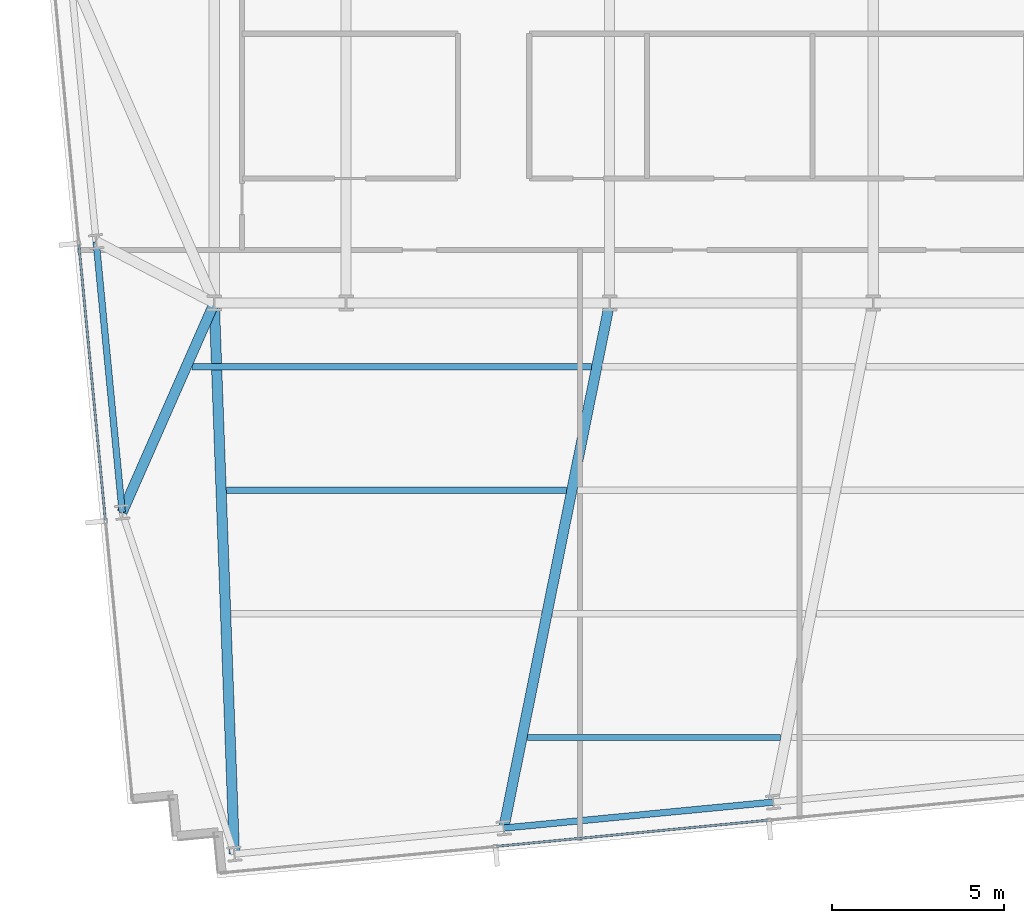
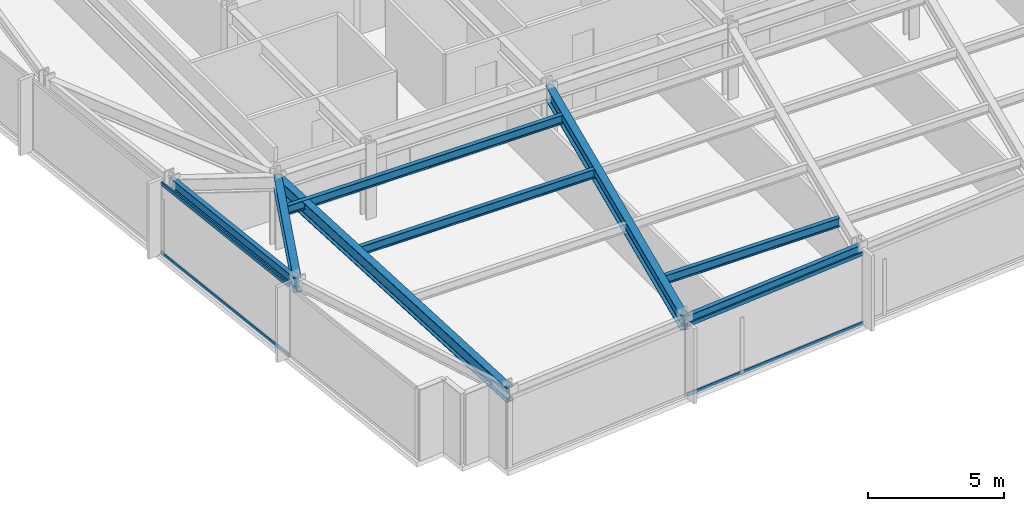
# One storey, part 3 of 33: 8 beams, 4 members, 2 elements without a shape of their own.
"""IFC4 building model written with IfcOpenShell, lengths in metres."""

import ifcopenshell
import ifcopenshell.guid

model = None  # the IFC model being written
_history = None  # IfcOwnerHistory: only IFC2X3 demands one
_inside = {}  # id of a spatial element -> (the spatial element, [elements in it])
_under = {}  # id of a project, library or spatial element -> (it, [spatial elements below it])
_declared = {}  # id of a project -> (the project, [libraries it declares])
_typed = {}  # id of a type object -> (the type object, [elements of that type])
_made_of = {}  # id of a material, layer set ... -> (it, [elements and type objects made of it])


def new_model(schema):
    """Start an empty IFC model of exactly this schema.

    Asked for "IFC4X3", IfcOpenShell would pick the latest addendum, in which some entities
    have other attributes; the version numbers below select the first issue.
    IFC2X3 requires an IfcOwnerHistory on every rooted entity: one is made here for all.
    """
    global model, _history
    if schema == "IFC4X3":
        model = ifcopenshell.file(schema_version=(4, 3, 0, 0))
    else:
        model = ifcopenshell.file(schema=schema)
    _inside.clear()
    _under.clear()
    _declared.clear()
    _typed.clear()
    _made_of.clear()
    _history = None
    if model.schema == "IFC2X3":
        org = make("IfcOrganization", Name="unknown")
        user = make(
            "IfcPersonAndOrganization",
            ThePerson=make("IfcPerson", FamilyName="unknown"),
            TheOrganization=org,
        )
        app = make(
            "IfcApplication",
            ApplicationDeveloper=org,
            Version="unknown",
            ApplicationFullName="unknown",
            ApplicationIdentifier="unknown",
        )
        _history = make(
            "IfcOwnerHistory",
            OwningUser=user,
            OwningApplication=app,
            ChangeAction="ADDED",
            CreationDate=0,
        )
    return model


def make(cls, **values):
    """One entity of the class cls with the attributes given. An attribute that is None is left unset."""
    return model.create_entity(
        cls, **{name: value for name, value in values.items() if value is not None}
    )


def rooted(cls, **values):
    """An entity with a GlobalId (a new one), such as an element, a storey or a relation."""
    return make(cls, GlobalId=ifcopenshell.guid.new(), OwnerHistory=_history, **values)


def si_unit(unit_type, name, prefix=None):
    """IfcSIUnit, for example si_unit("LENGTHUNIT", "METRE", prefix="MILLI")."""
    return make("IfcSIUnit", UnitType=unit_type, Prefix=prefix, Name=name)


def assignment(units):
    """IfcUnitAssignment: the units of a project."""
    return None if units is None else make("IfcUnitAssignment", Units=units)


def point(xyz):
    """IfcCartesianPoint."""
    return None if xyz is None else make("IfcCartesianPoint", Coordinates=xyz)


def direction(xyz):
    """IfcDirection."""
    return None if xyz is None else make("IfcDirection", DirectionRatios=xyz)


def frame(location, z_axis=None, x_axis=None):
    """IfcAxis2Placement3D, a coordinate frame: its origin and axes. An axis left out is left unset."""
    return make(
        "IfcAxis2Placement3D",
        Location=point(location),
        Axis=direction(z_axis),
        RefDirection=direction(x_axis),
    )


def frame_2d(location, x_axis=None):
    """IfcAxis2Placement2D, a coordinate frame in the plane: its origin and x axis."""
    return make(
        "IfcAxis2Placement2D", Location=point(location), RefDirection=direction(x_axis)
    )


def origin():
    """The frame at (0, 0, 0) with its axes left unset."""
    return frame((0.0, 0.0, 0.0))


def origin_2d():
    """The frame at (0, 0) in the plane with its x axis left unset."""
    return frame_2d((0.0, 0.0))


def place(relative_to, where):
    """IfcLocalPlacement: puts the frame where relative to a parent placement (None: the world)."""
    return make(
        "IfcLocalPlacement", PlacementRelTo=relative_to, RelativePlacement=where
    )


def context(
    kind, dimensions, precision=None, world=None, true_north=None, identifier=None
):
    """IfcGeometricRepresentationContext, for example the 3D "Model" context."""
    return make(
        "IfcGeometricRepresentationContext",
        ContextIdentifier=identifier,
        ContextType=kind,
        CoordinateSpaceDimension=dimensions,
        Precision=precision,
        WorldCoordinateSystem=world,
        TrueNorth=true_north,
    )


def subcontext(parent, identifier, kind, view, scale=None):
    """IfcGeometricRepresentationSubContext, for example "Body" below "Model"."""
    return make(
        "IfcGeometricRepresentationSubContext",
        ContextIdentifier=identifier,
        ContextType=kind,
        ParentContext=parent,
        TargetScale=scale,
        TargetView=view,
    )


def project(units=None, contexts=None):
    """IfcProject with its units and contexts."""
    return rooted(
        "IfcProject",
        Name="project",
        RepresentationContexts=contexts,
        UnitsInContext=assignment(units),
    )


def spatial(cls, under=None, at=None, **own):
    """A site, building, storey or space (cls), placed at a placement, below another one or the project."""
    s = rooted(cls, ObjectPlacement=at, **own)
    if under is not None:
        _under.setdefault(under.id(), (under, []))[1].append(s)
    return s


def profile(cls, at=None, kind="AREA", **sizes):
    """A parametric profile (cls). Its sizes go by their IFC names, for example OverallWidth=200.0."""
    return make(cls, ProfileType=kind, Position=at, **sizes)


def hollow_rectangle(**sizes):
    """IfcRectangleHollowProfileDef."""
    return profile("IfcRectangleHollowProfileDef", **sizes)


def i_section(**sizes):
    """IfcIShapeProfileDef."""
    return profile("IfcIShapeProfileDef", **sizes)


def extrude(swept, where, along, depth):
    """IfcExtrudedAreaSolid: the profile swept, set in the frame where, extruded along a direction by depth."""
    return make(
        "IfcExtrudedAreaSolid",
        SweptArea=swept,
        Position=where,
        ExtrudedDirection=direction(along),
        Depth=depth,
    )


def shape(context_of_items, identifier, shape_type, items):
    """IfcShapeRepresentation: the items that make up one representation, for example the "Body"."""
    return make(
        "IfcShapeRepresentation",
        ContextOfItems=context_of_items,
        RepresentationIdentifier=identifier,
        RepresentationType=shape_type,
        Items=items,
    )


def material(Name=None, Category=None):
    """IfcMaterial."""
    return make("IfcMaterial", Name=Name, Category=Category)


def material_profile(
    of_material, cross_section, Name=None, Category=None, Priority=None
):
    """IfcMaterialProfile: a cross section and its material."""
    return make(
        "IfcMaterialProfile",
        Name=Name,
        Material=of_material,
        Profile=cross_section,
        Priority=Priority,
        Category=Category,
    )


def profile_set(profiles, Name=None, composite=None):
    """IfcMaterialProfileSet."""
    return make(
        "IfcMaterialProfileSet",
        Name=Name,
        MaterialProfiles=profiles,
        CompositeProfile=composite,
    )


def made_of(thing, what):
    """Note that an element or type object is made of a material, layer set ...; save() writes the relation."""
    if what is not None:
        _made_of.setdefault(what.id(), (what, []))[1].append(thing)
    return thing


def type_object(cls, material=None, **own):
    """A type object (cls), such as IfcWallType, which elements share."""
    return made_of(rooted(cls, **own), material)


def element(
    cls,
    number,
    at=None,
    inside=None,
    cuts=None,
    type_object=None,
    material=None,
    context=None,
    identifier="Body",
    shape_type=None,
    held_by="IfcProductDefinitionShape",
    body=None,
    shapes=None,
    **own,
):
    """One element of the class cls, such as IfcWall. Its Tag is "e" and its number.

    at: its placement. inside: the storey or other place that contains it. cuts: it is an
    opening in that element (IfcRelVoidsElement). A single representation is given by context,
    identifier, shape_type and body (its items); several are given by shapes. held_by: the class
    of the entity that holds the representations. save() writes the other relations.
    """
    e = rooted(cls, Tag="e%d" % number, ObjectPlacement=at, **own)
    if body is not None:
        shapes = [shape(context, identifier, shape_type, body)]
    if shapes is not None:
        e.Representation = make(held_by, Representations=shapes)
    if inside is not None:
        _inside.setdefault(inside.id(), (inside, []))[1].append(e)
    if cuts is not None:
        rooted(
            "IfcRelVoidsElement", RelatingBuildingElement=cuts, RelatedOpeningElement=e
        )
    if type_object is not None:
        _typed.setdefault(type_object.id(), (type_object, []))[1].append(e)
    return made_of(e, material)


def aggregate(whole, parts):
    """IfcRelAggregates: a whole, such as a stair, and the parts it consists of."""
    return rooted("IfcRelAggregates", RelatingObject=whole, RelatedObjects=parts)


def save(model, path):
    """Write the relations noted so far, then the file.

    IfcRelAggregates (storeys below a building ...), IfcRelContainedInSpatialStructure (elements
    in a storey), IfcRelDefinesByType, IfcRelAssociatesMaterial and IfcRelDeclares: one each for
    every whole, place, type object, material and project.
    """
    for whole, parts in _under.values():
        aggregate(whole, parts)
    for where, things in _inside.values():
        rooted(
            "IfcRelContainedInSpatialStructure",
            RelatedElements=things,
            RelatingStructure=where,
        )
    for kind, things in _typed.values():
        rooted("IfcRelDefinesByType", RelatedObjects=things, RelatingType=kind)
    for what, things in _made_of.values():
        rooted("IfcRelAssociatesMaterial", RelatedObjects=things, RelatingMaterial=what)
    for by, libraries in _declared.values():
        rooted("IfcRelDeclares", RelatingContext=by, RelatedDefinitions=libraries)
    model.write(path)


model = new_model("IFC4")

# Units and contexts
model_context = context("Model", 3, precision=1e-05, world=origin(), true_north=direction((0.0, 1.0)))
body_context = subcontext(model_context, "Body", "Model", "MODEL_VIEW")
ifc_project = project(units=[si_unit("LENGTHUNIT", "METRE"), si_unit("AREAUNIT", "SQUARE_METRE"), si_unit("VOLUMEUNIT", "CUBIC_METRE"), si_unit("PLANEANGLEUNIT", "RADIAN"), si_unit("MASSUNIT", "GRAM", prefix="KILO")], contexts=[model_context])

# Site, building, storey
site_placement = place(None, origin())
site = spatial("IfcSite", under=ifc_project, at=site_placement, CompositionType="ELEMENT")
building_placement = place(site_placement, origin())
building = spatial("IfcBuilding", under=site, at=building_placement, Name="Yelkora Congress Tower", CompositionType="ELEMENT")
storey_placement = place(building_placement, frame((0.0, 0.0, 110.10009765625)))
storey = spatial("IfcBuildingStorey", under=building, at=storey_placement, Name="L29", CompositionType="ELEMENT", Elevation=110.10009765625)

# Beams
ifc_material_1 = material(Name="Steel S355J2", Category="steel")
ifc_material_profile_1 = material_profile(ifc_material_1, i_section(OverallWidth=0.300048828125, OverallDepth=0.64990234375, WebThickness=0.01611328125, FlangeThickness=0.031005859375, FilletRadius=0.027099609375, at=origin_2d()), Name="HEB 650")
ifc_profile_set_1 = profile_set([ifc_material_profile_1], Name="Steel S355J2")
beam_type_1 = type_object("IfcBeamType", Name="BM-GIRD-HEB650", PredefinedType="BEAM", material=ifc_profile_set_1)
beam_1_placement = place(storey_placement, frame((19.785888671875, 9.144287109375, 2.85498046875), z_axis=(-0.03646985294, 0.999334753637, 0.0), x_axis=(-0.999334753637, -0.03646985294, 0.0)))
element("IfcBeam", 1, at=beam_1_placement, inside=storey, type_object=beam_type_1, Name="L29 Primary Frame Girder S01", PredefinedType="BEAM", context=body_context, shape_type="SweptSolid", body=[
    extrude(i_section(OverallWidth=0.300048828125, OverallDepth=0.64990234375, WebThickness=0.01611328125, FlangeThickness=0.031005859375, FilletRadius=0.027099609375, at=origin_2d()), origin(), (0.0, 0.0, 1.0), 16.06640625),
])
beam_2_placement = place(storey_placement, frame((27.635498046875, 9.900146484375, 2.85498046875), z_axis=(0.197625995154, 0.980277494406, 0.0), x_axis=(-0.980277494406, 0.197625995154, 0.0)))
element("IfcBeam", 2, at=beam_2_placement, inside=storey, type_object=beam_type_1, Name="L29 Primary Frame Girder S02", PredefinedType="BEAM", context=body_context, shape_type="SweptSolid", body=[
    extrude(i_section(OverallWidth=0.300048828125, OverallDepth=0.64990234375, WebThickness=0.01611328125, FlangeThickness=0.031005859375, FilletRadius=0.027099609375, at=origin_2d()), origin(), (0.0, 0.0, 1.0), 15.607666015625),
])
beam_3_placement = place(storey_placement, frame((16.5166015625, 19.101806640625, 2.85498046875), z_axis=(0.402759490709, 0.915305846504, 0.0), x_axis=(-0.915305846504, 0.402759490709, 0.0)))
element("IfcBeam", 3, at=beam_3_placement, inside=storey, type_object=beam_type_1, Name="L29 Primary Frame Girder W01", PredefinedType="BEAM", context=body_context, shape_type="SweptSolid", body=[
    extrude(i_section(OverallWidth=0.300048828125, OverallDepth=0.64990234375, WebThickness=0.01611328125, FlangeThickness=0.031005859375, FilletRadius=0.027099609375, at=origin_2d()), origin(), (0.0, 0.0, 1.0), 6.662353515625),
])
ifc_material_profile_2 = material_profile(ifc_material_1, i_section(OverallWidth=0.179931640625, OverallDepth=0.39990234375, WebThickness=0.008544921875, FlangeThickness=0.013427734375, FilletRadius=0.02099609375, at=origin_2d()), Name="IPE 400")
ifc_profile_set_2 = profile_set([ifc_material_profile_2], Name="Steel S355J2")
beam_type_2 = type_object("IfcBeamType", Name="BM-JOIST-IPE400", PredefinedType="JOIST", material=ifc_profile_set_2)
beam_4_placement = place(storey_placement, frame((28.32861328125, 12.54443359375, 2.97998046875), z_axis=(1.0, 0.0, 0.0), x_axis=(0.0, 1.0, 0.0)))
element("IfcBeam", 4, at=beam_4_placement, inside=storey, type_object=beam_type_2, Name="L29 Composite Floor Joist 1", PredefinedType="JOIST", context=body_context, shape_type="SweptSolid", body=[
    extrude(i_section(OverallWidth=0.179931640625, OverallDepth=0.39990234375, WebThickness=0.008544921875, FlangeThickness=0.013427734375, FilletRadius=0.02099609375, at=origin_2d()), origin(), (0.0, 0.0, 1.0), 7.374755859375),
])
beam_5_placement = place(storey_placement, frame((19.55908203125, 19.744384765625, 2.97998046875), z_axis=(1.0, 0.0, 0.0), x_axis=(0.0, 1.0, 0.0)))
element("IfcBeam", 5, at=beam_5_placement, inside=storey, type_object=beam_type_2, Name="L29 Composite Floor Joist 11", PredefinedType="JOIST", context=body_context, shape_type="SweptSolid", body=[
    extrude(i_section(OverallWidth=0.179931640625, OverallDepth=0.39990234375, WebThickness=0.008544921875, FlangeThickness=0.013427734375, FilletRadius=0.02099609375, at=origin_2d()), origin(), (0.0, 0.0, 1.0), 9.901123046875),
])
beam_6_placement = place(storey_placement, frame((18.54345703125, 23.344482421875, 2.97998046875), z_axis=(1.0, 0.0, 0.0), x_axis=(0.0, 1.0, 0.0)))
element("IfcBeam", 6, at=beam_6_placement, inside=storey, type_object=beam_type_2, Name="L29 Composite Floor Joist 18", PredefinedType="JOIST", context=body_context, shape_type="SweptSolid", body=[
    extrude(i_section(OverallWidth=0.179931640625, OverallDepth=0.39990234375, WebThickness=0.008544921875, FlangeThickness=0.013427734375, FilletRadius=0.02099609375, at=origin_2d()), origin(), (0.0, 0.0, 1.0), 11.642333984375),
])
ifc_material_profile_3 = material_profile(ifc_material_1, i_section(OverallWidth=0.18994140625, OverallDepth=0.449951171875, WebThickness=0.009521484375, FlangeThickness=0.0146484375, FilletRadius=0.02099609375, at=origin_2d()), Name="IPE 450")
ifc_profile_set_3 = profile_set([ifc_material_profile_3], Name="Steel S355J2")
beam_type_3 = type_object("IfcBeamType", Name="BM-SPAN-IPE450", PredefinedType="SPANDREL", material=ifc_profile_set_3)
beam_7_placement = place(storey_placement, frame((15.757080078125, 26.990478515625, 2.954833984375), z_axis=(0.09583684824, -0.995397055712, 0.0), x_axis=(0.995397055712, 0.09583684824, 0.0)))
element("IfcBeam", 7, at=beam_7_placement, inside=storey, type_object=beam_type_3, Name="L29 Perimeter Beam 1", PredefinedType="SPANDREL", context=body_context, shape_type="SweptSolid", body=[
    extrude(i_section(OverallWidth=0.18994140625, OverallDepth=0.449951171875, WebThickness=0.009521484375, FlangeThickness=0.0146484375, FilletRadius=0.02099609375, at=origin_2d()), origin(), (0.0, 0.0, 1.0), 7.925048828125),
])
beam_8_placement = place(storey_placement, frame((27.635498046875, 9.900146484375, 2.954833984375), z_axis=(0.995395575667, 0.095852219286, 0.0), x_axis=(-0.095852219286, 0.995395575667, 0.0)))
element("IfcBeam", 8, at=beam_8_placement, inside=storey, type_object=beam_type_3, Name="L29 Perimeter Beam 4", PredefinedType="SPANDREL", context=body_context, shape_type="SweptSolid", body=[
    extrude(i_section(OverallWidth=0.18994140625, OverallDepth=0.449951171875, WebThickness=0.009521484375, FlangeThickness=0.0146484375, FilletRadius=0.02099609375, at=origin_2d()), origin(), (0.0, 0.0, 1.0), 7.8857421875),
])

# Curtain wall, members
ifc_material_2 = material(Name="Anodised aluminium and insulated glass", Category="aluminium")
curtain_wall_type = type_object("IfcCurtainWallType", Name="CW-SYS-B2", PredefinedType="NOTDEFINED", material=ifc_material_2)
curtain_wall_1_placement = place(storey_placement, origin())
curtain_wall_1 = element("IfcCurtainWall", 9, at=curtain_wall_1_placement, inside=storey, type_object=curtain_wall_type, Name="L29 Unitised Curtain Wall 5", PredefinedType="NOTDEFINED")
ifc_material_3 = material(Name="Anodised aluminium 6063-T6", Category="aluminium")
ifc_material_profile_4 = material_profile(ifc_material_3, hollow_rectangle(XDim=0.06494140625, YDim=0.159912109375, WallThickness=0.00390625, at=origin_2d()), Name="ALU 65x160x4")
ifc_profile_set_4 = profile_set([ifc_material_profile_4], Name="Anodised aluminium 6063-T6")
member_type = type_object("IfcMemberType", Name="MEM-TR-B2", PredefinedType="USERDEFINED", material=ifc_profile_set_4)
member_1_placement = place(storey_placement, frame((16.025146484375, 18.8837890625, 0.032470703125), z_axis=(-0.095838228465, 0.995396922823, 0.0), x_axis=(-0.995396922823, -0.095838228465, 0.0)))
member_1 = element("IfcMember", 10, at=member_1_placement, type_object=member_type, Name="CW-B2 transom 2.1", ObjectType="TRANSOM", PredefinedType="USERDEFINED", context=body_context, shape_type="SweptSolid", body=[
    extrude(hollow_rectangle(XDim=0.06494140625, YDim=0.159912109375, WallThickness=0.00390625, at=origin_2d()), origin(), (0.0, 0.0, 1.0), 8.06005859375),
])
member_2_placement = place(storey_placement, frame((16.025146484375, 18.8837890625, 3.1474609375), z_axis=(-0.095838228465, 0.995396922823, 0.0), x_axis=(-0.995396922823, -0.095838228465, 0.0)))
member_2 = element("IfcMember", 11, at=member_2_placement, type_object=member_type, Name="CW-B2 transom 2.2", ObjectType="TRANSOM", PredefinedType="USERDEFINED", context=body_context, shape_type="SweptSolid", body=[
    extrude(hollow_rectangle(XDim=0.06494140625, YDim=0.159912109375, WallThickness=0.00390625, at=origin_2d()), origin(), (0.0, 0.0, 1.0), 8.06005859375),
])
aggregate(curtain_wall_1, [member_1, member_2])

curtain_wall_2_placement = place(storey_placement, origin())
curtain_wall_2 = element("IfcCurtainWall", 12, at=curtain_wall_2_placement, inside=storey, type_object=curtain_wall_type, Name="L29 Unitised Curtain Wall 20", PredefinedType="NOTDEFINED")
member_3_placement = place(storey_placement, frame((35.323974609375, 10.128173828125, 0.032470703125), z_axis=(-0.995397293396, -0.095834379534, 0.0), x_axis=(0.095834379534, -0.995397293396, 0.0)))
member_3 = element("IfcMember", 13, at=member_3_placement, type_object=member_type, Name="CW-B2 transom 6.1", ObjectType="TRANSOM", PredefinedType="USERDEFINED", context=body_context, shape_type="SweptSolid", body=[
    extrude(hollow_rectangle(XDim=0.06494140625, YDim=0.159912109375, WallThickness=0.00390625, at=origin_2d()), origin(), (0.0, 0.0, 1.0), 7.93310546875),
])
member_4_placement = place(storey_placement, frame((35.323974609375, 10.128173828125, 3.1474609375), z_axis=(-0.995397293396, -0.095834379534, 0.0), x_axis=(0.095834379534, -0.995397293396, 0.0)))
member_4 = element("IfcMember", 14, at=member_4_placement, type_object=member_type, Name="CW-B2 transom 6.2", ObjectType="TRANSOM", PredefinedType="USERDEFINED", context=body_context, shape_type="SweptSolid", body=[
    extrude(hollow_rectangle(XDim=0.06494140625, YDim=0.159912109375, WallThickness=0.00390625, at=origin_2d()), origin(), (0.0, 0.0, 1.0), 7.93310546875),
])
aggregate(curtain_wall_2, [member_3, member_4])

save(model, "model.ifc")
